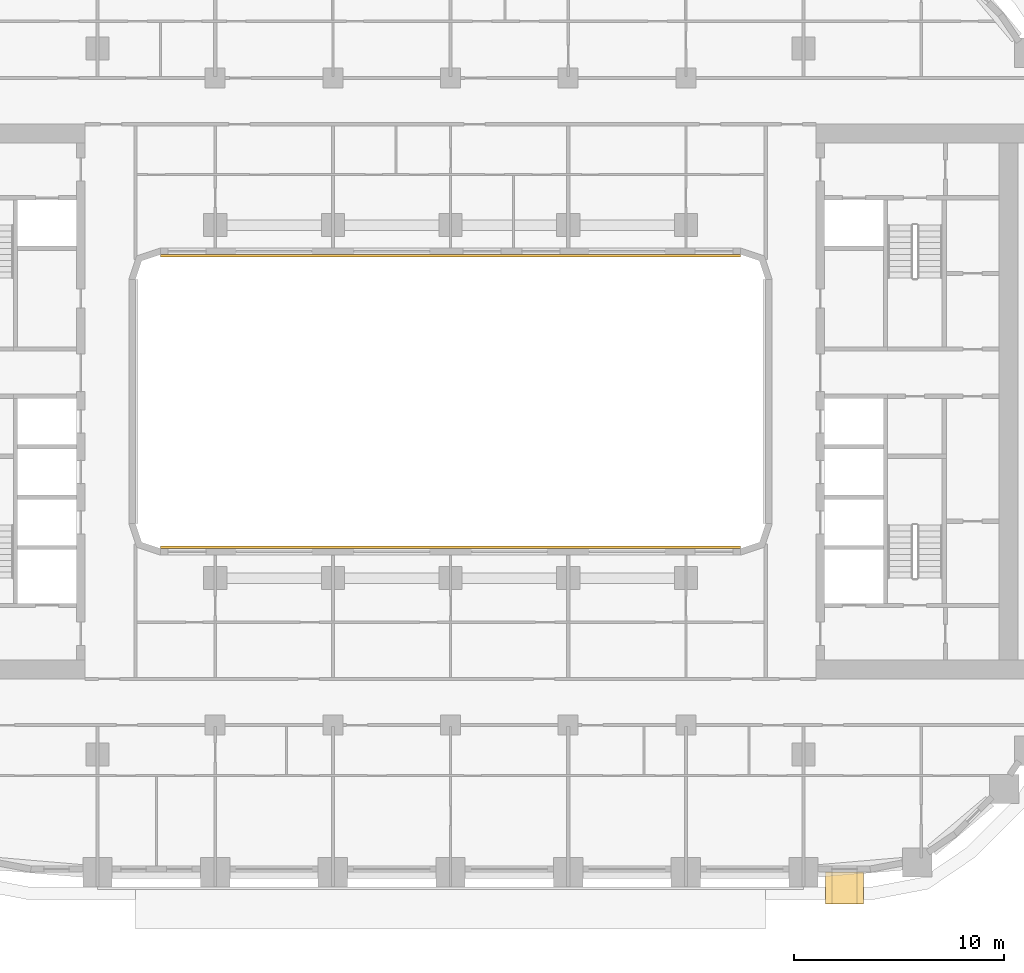
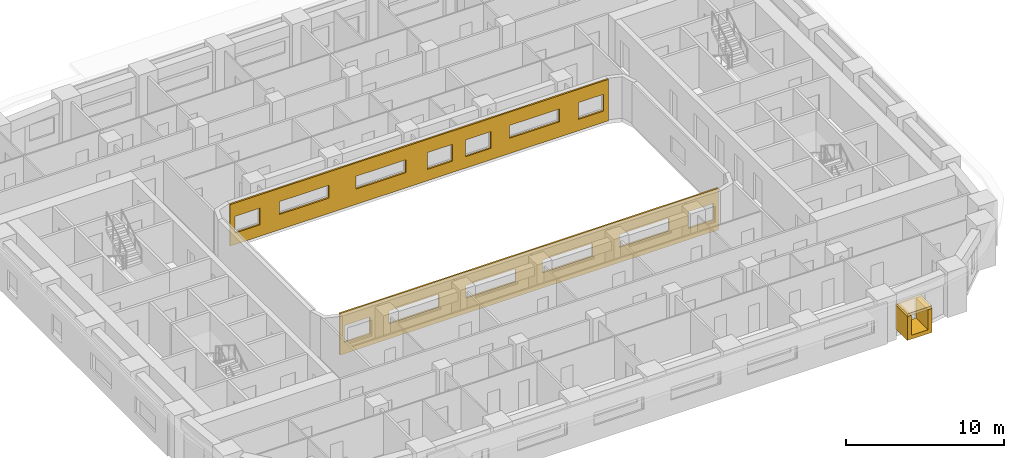
# One storey, part 16 of 22: 4 coverings.
"""IFC4 building model written with IfcOpenShell, lengths in metres."""

from ifc_helpers import new_model, si_unit, direction, frame, origin, origin_2d, place, context, subcontext, project, spatial, polyline, rectangle, outline, extrude, material, layer, layer_set, type_object, element, save


model = new_model("IFC4")

# Units and contexts
model_context = context("Model", 3, precision=1e-05, world=origin(), true_north=direction((0.0, 1.0)))
body_context = subcontext(model_context, "Body", "Model", "MODEL_VIEW")
ifc_project = project(units=[si_unit("LENGTHUNIT", "METRE"), si_unit("AREAUNIT", "SQUARE_METRE"), si_unit("VOLUMEUNIT", "CUBIC_METRE"), si_unit("PLANEANGLEUNIT", "RADIAN"), si_unit("MASSUNIT", "GRAM", prefix="KILO")], contexts=[model_context])

# Site, building, storey
site_placement = place(None, origin())
site = spatial("IfcSite", under=ifc_project, at=site_placement, CompositionType="ELEMENT")
building_placement = place(site_placement, origin())
building = spatial("IfcBuilding", under=site, at=building_placement, Name="Kiln Ring Residences", CompositionType="ELEMENT")
storey_placement = place(building_placement, frame((0.0, 0.0, 58.5)))
storey = spatial("IfcBuildingStorey", under=building, at=storey_placement, Name="L14", CompositionType="ELEMENT", Elevation=58.5)

# Coverings
ifc_material_1 = material(Name="Brick masonry, dark clay brick", Category="masonry")
ifc_layer_1 = layer(ifc_material_1, 0.300048828125)
ifc_layer_set_1 = layer_set([ifc_layer_1], Name="FRAME CHEEKS AND SILL 1500")
covering_type_1 = type_object("IfcCoveringType", Name="FRAME CHEEKS AND SILL 1500", PredefinedType="CLADDING", material=ifc_layer_set_1)
covering_1_placement = place(storey_placement, frame((17.85009765625, -23.14990234375, 0.300048828125), z_axis=(0.0, 0.0, 1.0), x_axis=(1.0, 0.0, 0.0)))
element("IfcCovering", 1, at=covering_1_placement, inside=storey, type_object=covering_type_1, Name="FRAME L14", PredefinedType="CLADDING", context=body_context, shape_type="SweptSolid", body=[
    extrude(outline(polyline([(0.0, 0.0), (1.7998046875, 0.0), (1.800048828125, 1.849853515625), (1.5009765625, 1.849853515625), (1.5, 0.300048828125), (0.300048828125, 0.300048828125), (0.299072265625, 1.849853515625), (0.0, 1.849853515625), (0.0, 0.0)])), frame((0.0, 0.75, 0.0), z_axis=(0.0, -1.0, 0.0), x_axis=(1.0, 0.0, 0.0)), (0.0, 0.0, 1.0), 1.5),
])
ifc_material_2 = material(Name="Brick masonry, dark clay brick", Category="masonry")
ifc_layer_2 = layer(ifc_material_2, 0.199951171875)
ifc_layer_set_2 = layer_set([ifc_layer_2], Name="FRAME HEAD 1500")
covering_type_2 = type_object("IfcCoveringType", Name="FRAME HEAD 1500", PredefinedType="CLADDING", material=ifc_layer_set_2)
covering_2_placement = place(storey_placement, frame((18.75, -23.14990234375, 2.14990234375), z_axis=(0.0, 0.0, 1.0), x_axis=(1.0, 0.0, 0.0)))
element("IfcCovering", 2, at=covering_2_placement, inside=storey, type_object=covering_type_2, Name="FRAME HEAD L14", PredefinedType="CLADDING", context=body_context, shape_type="SweptSolid", body=[
    extrude(rectangle(XDim=1.800048828125, YDim=1.5, at=origin_2d()), origin(), (0.0, 0.0, 1.0), 0.199951171875),
])
ifc_material_3 = material(Name="Brick masonry, dark clay brick", Category="masonry")
ifc_layer_3 = layer(ifc_material_3, 0.1201171875)
ifc_layer_set_3 = layer_set([ifc_layer_3], Name="RAINSCREEN PANEL 120")
covering_type_3 = type_object("IfcCoveringType", Name="RAINSCREEN PANEL 120", PredefinedType="CLADDING", material=ifc_layer_set_3)
covering_3_placement = place(storey_placement, frame((-13.800048828125, 6.93994140625, 0.0), z_axis=(0.0, 0.0, 1.0), x_axis=(1.0, 0.0, 0.0)))
element("IfcCovering", 3, at=covering_3_placement, inside=storey, type_object=covering_type_3, Name="RAINSCREEN L14", PredefinedType="CLADDING", context=body_context, shape_type="SweptSolid", body=[
    extrude(outline(polyline([(0.0, 0.0), (27.60009765625, 0.0), (27.60009765625, 3.199951171875), (0.0, 3.199951171875), (0.0, 0.0)]), holes=[polyline([(2.1826171875, 0.8798828125), (2.1826171875, 2.169921875), (0.342529296875, 2.169921875), (0.342529296875, 0.8798828125), (2.1826171875, 0.8798828125)]), polyline([(14.3798828125, 0.8798828125), (16.219970703125, 0.8798828125), (16.219970703125, 2.169921875), (14.3798828125, 2.169921875), (14.3798828125, 0.8798828125)]), polyline([(17.179931640625, 0.8798828125), (19.02001953125, 0.8798828125), (19.02001953125, 2.169921875), (17.179931640625, 2.169921875), (17.179931640625, 0.8798828125)]), polyline([(25.41748046875, 0.8798828125), (27.257568359375, 0.8798828125), (27.257568359375, 2.169921875), (25.41748046875, 2.169921875), (25.41748046875, 0.8798828125)]), polyline([(3.580078125, 1.179931640625), (7.219970703125, 1.179931640625), (7.219970703125, 2.169921875), (3.580078125, 2.169921875), (3.580078125, 1.179931640625)]), polyline([(9.179931640625, 1.179931640625), (12.820068359375, 1.179931640625), (12.820068359375, 2.169921875), (9.179931640625, 2.169921875), (9.179931640625, 1.179931640625)]), polyline([(20.3798828125, 1.179931640625), (24.02001953125, 1.179931640625), (24.02001953125, 2.169921875), (20.3798828125, 2.169921875), (20.3798828125, 1.179931640625)])]), frame((0.0, 0.06005859375, 0.0), z_axis=(0.0, -1.0, 0.0), x_axis=(1.0, 0.0, 0.0)), (0.0, 0.0, 1.0), 0.1201171875),
])
covering_4_placement = place(storey_placement, frame((13.800048828125, -6.93994140625, 0.0), z_axis=(0.0, 0.0, 1.0), x_axis=(-1.0, 0.0, 0.0)))
element("IfcCovering", 4, at=covering_4_placement, inside=storey, type_object=covering_type_3, Name="RAINSCREEN L14", PredefinedType="CLADDING", context=body_context, shape_type="SweptSolid", body=[
    extrude(outline(polyline([(0.0, 0.0), (27.60009765625, 0.0), (27.60009765625, 3.199951171875), (0.0, 3.199951171875), (0.0, 0.0)]), holes=[polyline([(2.1826171875, 0.8798828125), (2.1826171875, 2.169921875), (0.342529296875, 2.169921875), (0.342529296875, 0.8798828125), (2.1826171875, 0.8798828125)]), polyline([(25.41748046875, 0.8798828125), (27.257568359375, 0.8798828125), (27.257568359375, 2.169921875), (25.41748046875, 2.169921875), (25.41748046875, 0.8798828125)]), polyline([(3.580078125, 1.179931640625), (7.219970703125, 1.179931640625), (7.219970703125, 2.169921875), (3.580078125, 2.169921875), (3.580078125, 1.179931640625)]), polyline([(12.820068359375, 1.179931640625), (12.820068359375, 2.169921875), (9.179931640625, 2.169921875), (9.179931640625, 1.179931640625), (12.820068359375, 1.179931640625)]), polyline([(14.780029296875, 1.179931640625), (18.419921875, 1.179931640625), (18.419921875, 2.169921875), (14.780029296875, 2.169921875), (14.780029296875, 1.179931640625)]), polyline([(20.3798828125, 1.179931640625), (24.02001953125, 1.179931640625), (24.02001953125, 2.169921875), (20.3798828125, 2.169921875), (20.3798828125, 1.179931640625)])]), frame((0.0, 0.06005859375, 0.0), z_axis=(0.0, -1.0, 0.0), x_axis=(1.0, 0.0, 0.0)), (0.0, 0.0, 1.0), 0.1201171875),
])

save(model, "model.ifc")
